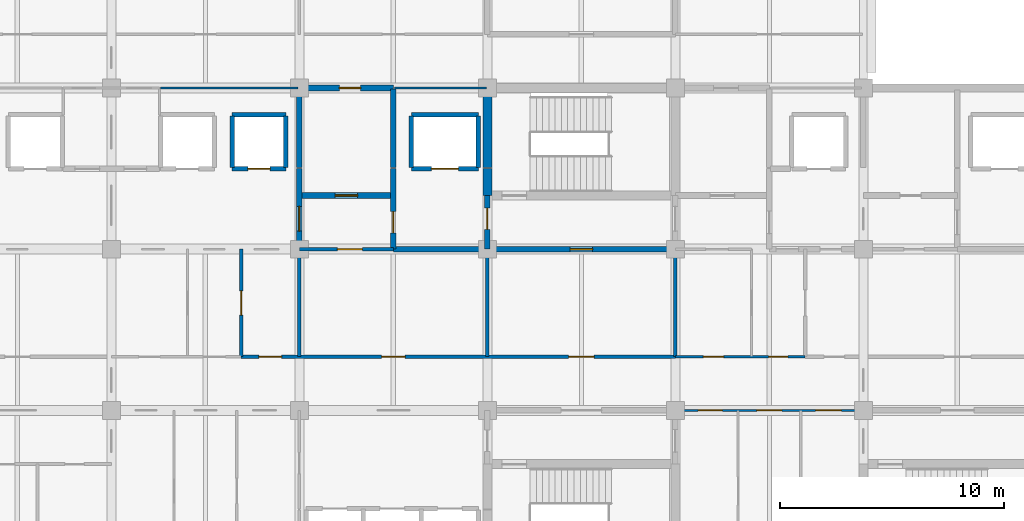
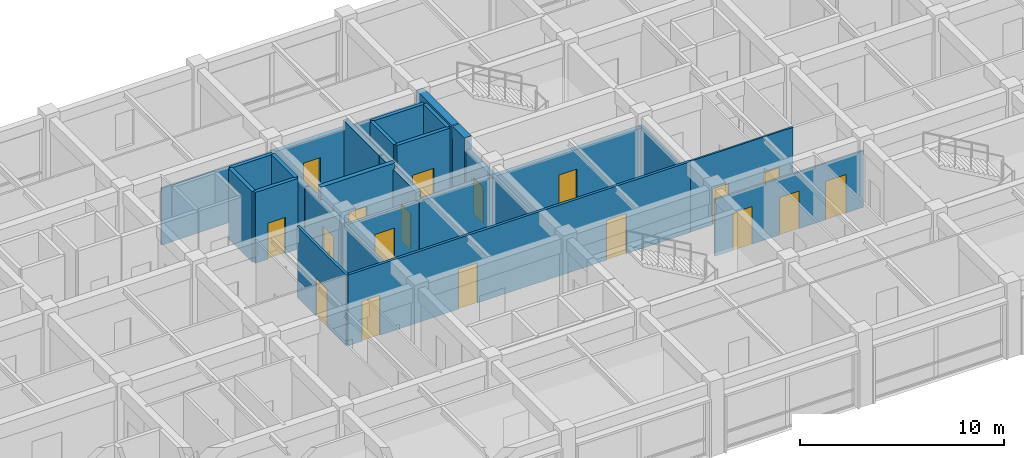
# One storey, part 22 of 30: 28 walls, 18 doors, 18 openings.
"""IFC4 building model written with IfcOpenShell, lengths in metres."""

from ifc_helpers import new_model, si_unit, direction, frame, frame_2d, origin, place, context, subcontext, project, spatial, rectangle, extrude, material, layer, layer_set, type_object, element, fill, save


model = new_model("IFC4")

# Units and contexts
model_context = context("Model", 3, precision=1e-05, world=origin(), true_north=direction((0.0, 1.0)))
body_context = subcontext(model_context, "Body", "Model", "MODEL_VIEW")
ifc_project = project(units=[si_unit("LENGTHUNIT", "METRE"), si_unit("AREAUNIT", "SQUARE_METRE"), si_unit("VOLUMEUNIT", "CUBIC_METRE"), si_unit("PLANEANGLEUNIT", "RADIAN"), si_unit("MASSUNIT", "GRAM", prefix="KILO")], contexts=[model_context])

# Site, building, storey
site_placement = place(None, origin())
site = spatial("IfcSite", under=ifc_project, at=site_placement, CompositionType="ELEMENT")
building_placement = place(site_placement, origin())
building = spatial("IfcBuilding", under=site, at=building_placement, Name="Chengyuan Square Courthouse", CompositionType="ELEMENT")
storey_placement = place(building_placement, frame((0.0, 0.0, 26.10009765625)))
storey = spatial("IfcBuildingStorey", under=building, at=storey_placement, Name="L06", CompositionType="ELEMENT", Elevation=26.10009765625)

# Wall, opening, door
ifc_material_1 = material(Name="Concrete C40", Category="concrete")
ifc_layer_1 = layer(ifc_material_1, 0.25)
ifc_layer_set_1 = layer_set([ifc_layer_1], Name="Concrete C40")
wall_type_1 = type_object("IfcWallType", Name="WL-FW1", PredefinedType="STANDARD", material=ifc_layer_set_1)
wall_1_placement = place(storey_placement, frame((96.60009765625, 100.800048828125, 0.0), z_axis=(0.0, 0.0, 1.0), x_axis=(1.0, 0.0, 0.0)))
wall_1 = element("IfcWall", 1, at=wall_1_placement, inside=storey, type_object=wall_type_1, Name="Interior Wall WL-L06-I2421", PredefinedType="STANDARD", context=body_context, shape_type="SweptSolid", body=[
    extrude(rectangle(XDim=12.599853515625, YDim=0.25, at=frame_2d((6.2998046875, 0.0))), origin(), (0.0, 0.0, 1.0), 3.389892578125),
])
opening_1_placement = place(wall_1_placement, frame((7.89990234375, 0.0, 0.0)))
opening_1 = element("IfcOpeningElement", 2, at=opening_1_placement, cuts=wall_1, Name="Opening DR-2122", PredefinedType="OPENING", context=body_context, shape_type="SweptSolid", body=[
    extrude(rectangle(XDim=1.0, YDim=2.199951171875, at=frame_2d((0.5, 1.10009765625))), frame((0.0, 0.136962890625, 0.0), z_axis=(0.0, -1.0, 0.0), x_axis=(1.0, 0.0, 0.0)), (0.0, 0.0, 1.0), 0.27392578125),
])
ifc_material_2 = material(Name="Steel Q235B Fire Door", Category="steel")
door_type_1 = type_object("IfcDoorType", Name="DT-11", OperationType="NOTDEFINED", PredefinedType="DOOR", material=ifc_material_2)
door_1_placement = place(opening_1_placement, origin())
door_1 = element("IfcDoor", 3, at=door_1_placement, inside=storey, type_object=door_type_1, Name="Interior Door DR-2122", OperationType="SINGLE_SWING_RIGHT", OverallHeight=2.199951171875, OverallWidth=1.0, PredefinedType="DOOR", context=body_context, shape_type="SweptSolid", body=[
    extrude(rectangle(XDim=1.0, YDim=2.199951171875, at=frame_2d((0.5, 1.10009765625))), frame((0.0, 0.02490234375, 0.0), z_axis=(0.0, -1.0, 0.0), x_axis=(1.0, 0.0, 0.0)), (0.0, 0.0, 1.0), 0.050048828125),
])
fill(opening_1, door_1)

wall_2_placement = place(storey_placement, frame((92.39990234375, 103.199951171875, 0.0), z_axis=(0.0, 0.0, 1.0), x_axis=(1.0, 0.0, 0.0)))
wall_2 = element("IfcWall", 4, at=wall_2_placement, inside=storey, type_object=wall_type_1, Name="Interior Wall WL-L06-I2434", PredefinedType="STANDARD", context=body_context, shape_type="SweptSolid", body=[
    extrude(rectangle(XDim=4.2001953125, YDim=0.25, at=frame_2d((2.10009765625, 0.0))), origin(), (0.0, 0.0, 1.0), 4.239990234375),
])
opening_2_placement = place(wall_2_placement, frame((1.60009765625, 0.0, 0.0)))
opening_2 = element("IfcOpeningElement", 5, at=opening_2_placement, cuts=wall_2, Name="Opening DR-2140", PredefinedType="OPENING", context=body_context, shape_type="SweptSolid", body=[
    extrude(rectangle(XDim=1.0, YDim=2.199951171875, at=frame_2d((0.5, 1.10009765625))), frame((0.0, 0.136962890625, 0.0), z_axis=(0.0, -1.0, 0.0), x_axis=(1.0, 0.0, 0.0)), (0.0, 0.0, 1.0), 0.27392578125),
])
door_2_placement = place(opening_2_placement, origin())
door_2 = element("IfcDoor", 6, at=door_2_placement, inside=storey, type_object=door_type_1, Name="Interior Door DR-2140", OperationType="SINGLE_SWING_RIGHT", OverallHeight=2.199951171875, OverallWidth=1.0, PredefinedType="DOOR", context=body_context, shape_type="SweptSolid", body=[
    extrude(rectangle(XDim=1.0, YDim=2.199951171875, at=frame_2d((0.5, 1.10009765625))), frame((0.0, 0.02490234375, 0.0), z_axis=(0.0, -1.0, 0.0), x_axis=(1.0, 0.0, 0.0)), (0.0, 0.0, 1.0), 0.050048828125),
])
fill(opening_2, door_2)

wall_3_placement = place(storey_placement, frame((92.39990234375, 108.0, 0.0), z_axis=(0.0, 0.0, 1.0), x_axis=(1.0, 0.0, 0.0)))
wall_3 = element("IfcWall", 7, at=wall_3_placement, inside=storey, type_object=wall_type_1, Name="Interior Wall WL-L06-I2470", PredefinedType="STANDARD", context=body_context, shape_type="SweptSolid", body=[
    extrude(rectangle(XDim=4.2001953125, YDim=0.25, at=frame_2d((2.10009765625, 0.0))), origin(), (0.0, 0.0, 1.0), 3.389892578125),
])
opening_3_placement = place(wall_3_placement, frame((1.784912109375, 0.0, 0.0)))
opening_3 = element("IfcOpeningElement", 8, at=opening_3_placement, cuts=wall_3, Name="Opening DR-2144", PredefinedType="OPENING", context=body_context, shape_type="SweptSolid", body=[
    extrude(rectangle(XDim=0.949951171875, YDim=2.14990234375, at=frame_2d((0.47509765625, 1.074951171875))), frame((0.0, 0.136962890625, 0.0), z_axis=(0.0, -1.0, 0.0), x_axis=(1.0, 0.0, 0.0)), (0.0, 0.0, 1.0), 0.27392578125),
])
door_type_2 = type_object("IfcDoorType", Name="DT-12", OperationType="NOTDEFINED", PredefinedType="DOOR", material=ifc_material_2)
door_3_placement = place(opening_3_placement, origin())
door_3 = element("IfcDoor", 9, at=door_3_placement, inside=storey, type_object=door_type_2, Name="Interior Door DR-2144", OperationType="SINGLE_SWING_RIGHT", OverallHeight=2.14990234375, OverallWidth=0.949951171875, PredefinedType="DOOR", context=body_context, shape_type="SweptSolid", body=[
    extrude(rectangle(XDim=0.949951171875, YDim=2.14990234375, at=frame_2d((0.47509765625, 1.074951171875))), frame((0.0, 0.02490234375, 0.0), z_axis=(0.0, -1.0, 0.0), x_axis=(1.0, 0.0, 0.0)), (0.0, 0.0, 1.0), 0.050048828125),
])
fill(opening_3, door_3)

wall_4_placement = place(storey_placement, frame((92.39990234375, 100.800048828125, 0.0), z_axis=(0.0, 0.0, 1.0), x_axis=(0.0, 1.0, 0.0)))
wall_4 = element("IfcWall", 10, at=wall_4_placement, inside=storey, type_object=wall_type_1, Name="Interior Wall WL-L06-I2560", PredefinedType="STANDARD", context=body_context, shape_type="SweptSolid", body=[
    extrude(rectangle(XDim=3.599853515625, YDim=0.25, at=frame_2d((1.7998046875, 0.0))), origin(), (0.0, 0.0, 1.0), 3.489990234375),
])
opening_4_placement = place(wall_4_placement, frame((0.81005859375, 0.0, 0.0)))
opening_4 = element("IfcOpeningElement", 11, at=opening_4_placement, cuts=wall_4, Name="Opening DR-2142", PredefinedType="OPENING", context=body_context, shape_type="SweptSolid", body=[
    extrude(rectangle(XDim=1.10009765625, YDim=2.199951171875, at=frame_2d((0.550048828125, 1.10009765625))), frame((0.0, 0.136962890625, 0.0), z_axis=(0.0, -1.0, 0.0), x_axis=(1.0, 0.0, 0.0)), (0.0, 0.0, 1.0), 0.27392578125),
])
door_type_3 = type_object("IfcDoorType", Name="DT-10", OperationType="NOTDEFINED", PredefinedType="DOOR", material=ifc_material_2)
door_4_placement = place(opening_4_placement, origin())
door_4 = element("IfcDoor", 12, at=door_4_placement, inside=storey, type_object=door_type_3, Name="Interior Door DR-2142", OperationType="SINGLE_SWING_RIGHT", OverallHeight=2.199951171875, OverallWidth=1.10009765625, PredefinedType="DOOR", context=body_context, shape_type="SweptSolid", body=[
    extrude(rectangle(XDim=1.10009765625, YDim=2.199951171875, at=frame_2d((0.550048828125, 1.10009765625))), frame((0.0, 0.02490234375, 0.0), z_axis=(0.0, -1.0, 0.0), x_axis=(1.0, 0.0, 0.0)), (0.0, 0.0, 1.0), 0.050048828125),
])
fill(opening_4, door_4)

# Wall
wall_5_placement = place(storey_placement, frame((92.39990234375, 104.449951171875, 0.0), z_axis=(0.0, 0.0, 1.0), x_axis=(0.0, 1.0, 0.0)))
element("IfcWall", 13, at=wall_5_placement, inside=storey, type_object=wall_type_1, Name="Interior Wall WL-L06-I2561", PredefinedType="STANDARD", context=body_context, shape_type="SweptSolid", body=[
    extrude(rectangle(XDim=3.5, YDim=0.25, at=frame_2d((1.75, 0.0))), origin(), (0.0, 0.0, 1.0), 3.489990234375),
])

# Wall, opening, door
wall_6_placement = place(storey_placement, frame((96.60009765625, 100.800048828125, 0.0), z_axis=(0.0, 0.0, 1.0), x_axis=(0.0, 1.0, 0.0)))
wall_6 = element("IfcWall", 14, at=wall_6_placement, inside=storey, type_object=wall_type_1, Name="Interior Wall WL-L06-I2565", PredefinedType="STANDARD", context=body_context, shape_type="SweptSolid", body=[
    extrude(rectangle(XDim=3.599853515625, YDim=0.25, at=frame_2d((1.7998046875, 0.0))), origin(), (0.0, 0.0, 1.0), 3.889892578125),
])
opening_5_placement = place(wall_6_placement, frame((0.72509765625, 0.0, 0.0)))
opening_5 = element("IfcOpeningElement", 15, at=opening_5_placement, cuts=wall_6, Name="Opening DR-2141", PredefinedType="OPENING", context=body_context, shape_type="SweptSolid", body=[
    extrude(rectangle(XDim=0.949951171875, YDim=2.14990234375, at=frame_2d((0.47509765625, 1.074951171875))), frame((0.0, 0.136962890625, 0.0), z_axis=(0.0, -1.0, 0.0), x_axis=(1.0, 0.0, 0.0)), (0.0, 0.0, 1.0), 0.27392578125),
])
door_5_placement = place(opening_5_placement, origin())
door_5 = element("IfcDoor", 16, at=door_5_placement, inside=storey, type_object=door_type_2, Name="Interior Door DR-2141", OperationType="SINGLE_SWING_LEFT", OverallHeight=2.14990234375, OverallWidth=0.949951171875, PredefinedType="DOOR", context=body_context, shape_type="SweptSolid", body=[
    extrude(rectangle(XDim=0.949951171875, YDim=2.14990234375, at=frame_2d((0.47509765625, 1.074951171875))), frame((0.0, 0.02490234375, 0.0), z_axis=(0.0, -1.0, 0.0), x_axis=(1.0, 0.0, 0.0)), (0.0, 0.0, 1.0), 0.050048828125),
])
fill(opening_5, door_5)

# Wall
wall_7_placement = place(storey_placement, frame((96.60009765625, 104.449951171875, 0.0), z_axis=(0.0, 0.0, 1.0), x_axis=(0.0, 1.0, 0.0)))
element("IfcWall", 17, at=wall_7_placement, inside=storey, type_object=wall_type_1, Name="Interior Wall WL-L06-I2566", PredefinedType="STANDARD", context=body_context, shape_type="SweptSolid", body=[
    extrude(rectangle(XDim=3.5, YDim=0.25, at=frame_2d((1.75, 0.0))), origin(), (0.0, 0.0, 1.0), 3.889892578125),
])

# Wall, opening, door
wall_8_placement = place(storey_placement, frame((100.800048828125, 100.800048828125, 0.0), z_axis=(0.0, 0.0, 1.0), x_axis=(0.0, 1.0, 0.0)))
wall_8 = element("IfcWall", 18, at=wall_8_placement, inside=storey, type_object=wall_type_1, Name="Interior Wall WL-L06-I2576", PredefinedType="STANDARD", context=body_context, shape_type="SweptSolid", body=[
    extrude(rectangle(XDim=2.39990234375, YDim=0.25, at=frame_2d((1.199951171875, 0.0))), origin(), (0.0, 0.0, 1.0), 3.489990234375),
])
opening_6_placement = place(wall_8_placement, frame((0.885009765625, 0.0, 0.0)))
opening_6 = element("IfcOpeningElement", 19, at=opening_6_placement, cuts=wall_8, Name="Opening DR-2120", PredefinedType="OPENING", context=body_context, shape_type="SweptSolid", body=[
    extrude(rectangle(XDim=0.949951171875, YDim=2.14990234375, at=frame_2d((0.47509765625, 1.074951171875))), frame((0.0, 0.136962890625, 0.0), z_axis=(0.0, -1.0, 0.0), x_axis=(1.0, 0.0, 0.0)), (0.0, 0.0, 1.0), 0.27392578125),
])
door_6_placement = place(opening_6_placement, origin())
door_6 = element("IfcDoor", 20, at=door_6_placement, inside=storey, type_object=door_type_2, Name="Interior Door DR-2120", OperationType="SINGLE_SWING_RIGHT", OverallHeight=2.14990234375, OverallWidth=0.949951171875, PredefinedType="DOOR", context=body_context, shape_type="SweptSolid", body=[
    extrude(rectangle(XDim=0.949951171875, YDim=2.14990234375, at=frame_2d((0.47509765625, 1.074951171875))), frame((0.0, 0.02490234375, 0.0), z_axis=(0.0, -1.0, 0.0), x_axis=(1.0, 0.0, 0.0)), (0.0, 0.0, 1.0), 0.050048828125),
])
fill(opening_6, door_6)

# Wall, openings, doors
ifc_material_3 = material(Name="Deliberation Room Sound-Insulated Partition")
ifc_layer_2 = layer(ifc_material_3, 0.14990234375)
ifc_layer_set_2 = layer_set([ifc_layer_2], Name="Deliberation Room Sound-Insulated Partition")
wall_type_2 = type_object("IfcWallType", Name="WL-PT3", PredefinedType="STANDARD", material=ifc_layer_set_2)
wall_9_placement = place(storey_placement, frame((89.800048828125, 96.0, 0.0), z_axis=(0.0, 0.0, 1.0), x_axis=(1.0, 0.0, 0.0)))
wall_9 = element("IfcWall", 21, at=wall_9_placement, inside=storey, type_object=wall_type_2, Name="Interior Wall WL-L06-I2405", PredefinedType="STANDARD", context=body_context, shape_type="SweptSolid", body=[
    extrude(rectangle(XDim=19.39990234375, YDim=0.14990234375, at=frame_2d((9.699951171875, 0.0))), origin(), (0.0, 0.0, 1.0), 4.239990234375),
])
opening_7_placement = place(wall_9_placement, frame((0.7900390625, 0.0, 0.0)))
opening_7 = element("IfcOpeningElement", 22, at=opening_7_placement, cuts=wall_9, Name="Opening DR-2218", PredefinedType="OPENING", context=body_context, shape_type="SweptSolid", body=[
    extrude(rectangle(XDim=1.02001953125, YDim=2.39990234375, at=frame_2d((0.510009765625, 1.199951171875))), frame((0.0, 0.0869140625, 0.0), z_axis=(0.0, -1.0, 0.0), x_axis=(1.0, 0.0, 0.0)), (0.0, 0.0, 1.0), 0.173828125),
])
opening_8_placement = place(wall_9_placement, frame((6.27001953125, 0.0, 0.0)))
opening_8 = element("IfcOpeningElement", 23, at=opening_8_placement, cuts=wall_9, Name="Opening DR-2219", PredefinedType="OPENING", context=body_context, shape_type="SweptSolid", body=[
    extrude(rectangle(XDim=1.06005859375, YDim=2.39990234375, at=frame_2d((0.530029296875, 1.199951171875))), frame((0.0, 0.0869140625, 0.0), z_axis=(0.0, -1.0, 0.0), x_axis=(1.0, 0.0, 0.0)), (0.0, 0.0, 1.0), 0.173828125),
])
opening_9_placement = place(wall_9_placement, frame((14.6298828125, 0.0, 0.0)))
opening_9 = element("IfcOpeningElement", 24, at=opening_9_placement, cuts=wall_9, Name="Opening DR-2220", PredefinedType="OPENING", context=body_context, shape_type="SweptSolid", body=[
    extrude(rectangle(XDim=1.139892578125, YDim=2.39990234375, at=frame_2d((0.56982421875, 1.199951171875))), frame((0.0, 0.0869140625, 0.0), z_axis=(0.0, -1.0, 0.0), x_axis=(1.0, 0.0, 0.0)), (0.0, 0.0, 1.0), 0.173828125),
])
ifc_material_4 = material(Name="Acoustic Solid-Core Timber Door", Category="wood")
door_type_4 = type_object("IfcDoorType", Name="DT-41", OperationType="NOTDEFINED", PredefinedType="DOOR", material=ifc_material_4)
door_7_placement = place(opening_7_placement, origin())
door_7 = element("IfcDoor", 25, at=door_7_placement, inside=storey, type_object=door_type_4, Name="Interior Door DR-2218", OperationType="SINGLE_SWING_LEFT", OverallHeight=2.39990234375, OverallWidth=1.02001953125, PredefinedType="DOOR", context=body_context, shape_type="SweptSolid", body=[
    extrude(rectangle(XDim=1.02001953125, YDim=2.39990234375, at=frame_2d((0.510009765625, 1.199951171875))), frame((0.0, 0.02490234375, 0.0), z_axis=(0.0, -1.0, 0.0), x_axis=(1.0, 0.0, 0.0)), (0.0, 0.0, 1.0), 0.050048828125),
])
fill(opening_7, door_7)
door_type_5 = type_object("IfcDoorType", Name="DT-42", OperationType="NOTDEFINED", PredefinedType="DOOR", material=ifc_material_4)
door_8_placement = place(opening_8_placement, origin())
door_8 = element("IfcDoor", 26, at=door_8_placement, inside=storey, type_object=door_type_5, Name="Interior Door DR-2219", OperationType="SINGLE_SWING_RIGHT", OverallHeight=2.39990234375, OverallWidth=1.06005859375, PredefinedType="DOOR", context=body_context, shape_type="SweptSolid", body=[
    extrude(rectangle(XDim=1.06005859375, YDim=2.39990234375, at=frame_2d((0.530029296875, 1.199951171875))), frame((0.0, 0.02490234375, 0.0), z_axis=(0.0, -1.0, 0.0), x_axis=(1.0, 0.0, 0.0)), (0.0, 0.0, 1.0), 0.050048828125),
])
fill(opening_8, door_8)
door_type_6 = type_object("IfcDoorType", Name="DT-43", OperationType="NOTDEFINED", PredefinedType="DOOR", material=ifc_material_4)
door_9_placement = place(opening_9_placement, origin())
door_9 = element("IfcDoor", 27, at=door_9_placement, inside=storey, type_object=door_type_6, Name="Interior Door DR-2220", OperationType="SINGLE_SWING_LEFT", OverallHeight=2.39990234375, OverallWidth=1.139892578125, PredefinedType="DOOR", context=body_context, shape_type="SweptSolid", body=[
    extrude(rectangle(XDim=1.139892578125, YDim=2.39990234375, at=frame_2d((0.56982421875, 1.199951171875))), frame((0.0, 0.02490234375, 0.0), z_axis=(0.0, -1.0, 0.0), x_axis=(1.0, 0.0, 0.0)), (0.0, 0.0, 1.0), 0.050048828125),
])
fill(opening_9, door_9)

# Wall, opening, door
wall_10_placement = place(storey_placement, frame((92.39990234375, 100.800048828125, 0.0), z_axis=(0.0, 0.0, 1.0), x_axis=(1.0, 0.0, 0.0)))
wall_10 = element("IfcWall", 28, at=wall_10_placement, inside=storey, type_object=wall_type_2, Name="Interior Wall WL-L06-I2420", PredefinedType="STANDARD", context=body_context, shape_type="SweptSolid", body=[
    extrude(rectangle(XDim=4.2001953125, YDim=0.14990234375, at=frame_2d((2.10009765625, 0.0))), origin(), (0.0, 0.0, 1.0), 3.389892578125),
])
opening_10_placement = place(wall_10_placement, frame((1.699951171875, 0.0, 0.0)))
opening_10 = element("IfcOpeningElement", 29, at=opening_10_placement, cuts=wall_10, Name="Opening DR-2143", PredefinedType="OPENING", context=body_context, shape_type="SweptSolid", body=[
    extrude(rectangle(XDim=1.1201171875, YDim=2.25, at=frame_2d((0.56005859375, 1.125))), frame((0.0, 0.0869140625, 0.0), z_axis=(0.0, -1.0, 0.0), x_axis=(1.0, 0.0, 0.0)), (0.0, 0.0, 1.0), 0.173828125),
])
door_type_7 = type_object("IfcDoorType", Name="DT-34", OperationType="NOTDEFINED", PredefinedType="DOOR", material=ifc_material_4)
door_10_placement = place(opening_10_placement, origin())
door_10 = element("IfcDoor", 30, at=door_10_placement, inside=storey, type_object=door_type_7, Name="Interior Door DR-2143", OperationType="SINGLE_SWING_LEFT", OverallHeight=2.25, OverallWidth=1.1201171875, PredefinedType="DOOR", context=body_context, shape_type="SweptSolid", body=[
    extrude(rectangle(XDim=1.1201171875, YDim=2.25, at=frame_2d((0.56005859375, 1.125))), frame((0.0, 0.02490234375, 0.0), z_axis=(0.0, -1.0, 0.0), x_axis=(1.0, 0.0, 0.0)), (0.0, 0.0, 1.0), 0.050048828125),
])
fill(opening_10, door_10)

wall_11_placement = place(storey_placement, frame((89.800048828125, 96.0, 0.0), z_axis=(0.0, 0.0, 1.0), x_axis=(0.0, 1.0, 0.0)))
wall_11 = element("IfcWall", 31, at=wall_11_placement, inside=storey, type_object=wall_type_2, Name="Interior Wall WL-L06-I2555", PredefinedType="STANDARD", context=body_context, shape_type="SweptSolid", body=[
    extrude(rectangle(XDim=4.800048828125, YDim=0.14990234375, at=frame_2d((2.39990234375, 0.0))), origin(), (0.0, 0.0, 1.0), 4.239990234375),
])
opening_11_placement = place(wall_11_placement, frame((1.860107421875, 0.0, 0.0)))
opening_11 = element("IfcOpeningElement", 32, at=opening_11_placement, cuts=wall_11, Name="Opening DR-2244", PredefinedType="OPENING", context=body_context, shape_type="SweptSolid", body=[
    extrude(rectangle(XDim=1.080078125, YDim=2.25, at=frame_2d((0.5400390625, 1.125))), frame((0.0, 0.0869140625, 0.0), z_axis=(0.0, -1.0, 0.0), x_axis=(1.0, 0.0, 0.0)), (0.0, 0.0, 1.0), 0.173828125),
])
door_type_8 = type_object("IfcDoorType", Name="DT-33", OperationType="NOTDEFINED", PredefinedType="DOOR", material=ifc_material_4)
door_11_placement = place(opening_11_placement, origin())
door_11 = element("IfcDoor", 33, at=door_11_placement, inside=storey, type_object=door_type_8, Name="Interior Door DR-2244", OperationType="SINGLE_SWING_RIGHT", OverallHeight=2.25, OverallWidth=1.080078125, PredefinedType="DOOR", context=body_context, shape_type="SweptSolid", body=[
    extrude(rectangle(XDim=1.080078125, YDim=2.25, at=frame_2d((0.5400390625, 1.125))), frame((0.0, 0.02490234375, 0.0), z_axis=(0.0, -1.0, 0.0), x_axis=(1.0, 0.0, 0.0)), (0.0, 0.0, 1.0), 0.050048828125),
])
fill(opening_11, door_11)

# Walls
for number, where, z_axis, x_axis, name in (
    (34, (92.39990234375, 96.0, 0.0), (0.0, 0.0, 1.0), (0.0, 1.0, 0.0), "Interior Wall WL-L06-I2559"),
    (35, (100.800048828125, 96.0, 0.0), (0.0, 0.0, 1.0), (0.0, 1.0, 0.0), "Interior Wall WL-L06-I2575"),
    (36, (109.199951171875, 96.0, 0.0), (0.0, 0.0, 1.0), (0.0, 1.0, 0.0), "Interior Wall WL-L06-I2583"),
):
    element("IfcWall", number, at=place(storey_placement, frame(where, z_axis=z_axis, x_axis=x_axis)), inside=storey, type_object=wall_type_2, Name=name, PredefinedType="STANDARD", context=body_context, shape_type="SweptSolid", body=[
        extrude(rectangle(XDim=4.800048828125, YDim=0.14990234375, at=frame_2d((2.39990234375, 0.0))), origin(), (0.0, 0.0, 1.0), 3.489990234375),
    ])

# Wall, openings, doors
ifc_material_5 = material(Name="Gypsum Plasterboard Acoustic Stud Partition")
ifc_layer_3 = layer(ifc_material_5, 0.10009765625)
ifc_layer_set_3 = layer_set([ifc_layer_3], Name="Gypsum Plasterboard Acoustic Stud Partition")
wall_type_3 = type_object("IfcWallType", Name="WL-PT6", PredefinedType="STANDARD", material=ifc_layer_set_3)
wall_12_placement = place(storey_placement, frame((109.199951171875, 93.60009765625, 0.0), z_axis=(0.0, 0.0, 1.0), x_axis=(1.0, 0.0, 0.0)))
wall_12 = element("IfcWall", 37, at=wall_12_placement, inside=storey, type_object=wall_type_3, Name="Interior Wall WL-L06-I2397", PredefinedType="STANDARD", context=body_context, shape_type="SweptSolid", body=[
    extrude(rectangle(XDim=8.400146484375, YDim=0.10009765625, at=frame_2d((4.2001953125, 0.0))), origin(), (0.0, 0.0, 1.0), 3.389892578125),
])
opening_12_placement = place(wall_12_placement, frame((1.02001953125, 0.0, 0.0)))
opening_12 = element("IfcOpeningElement", 38, at=opening_12_placement, cuts=wall_12, Name="Opening DR-2227", PredefinedType="OPENING", context=body_context, shape_type="SweptSolid", body=[
    extrude(rectangle(XDim=1.080078125, YDim=2.25, at=frame_2d((0.5400390625, 1.125))), frame((0.0, 0.06201171875, 0.0), z_axis=(0.0, -1.0, 0.0), x_axis=(1.0, 0.0, 0.0)), (0.0, 0.0, 1.0), 0.1240234375),
])
opening_13_placement = place(wall_12_placement, frame((3.639892578125, 0.0, 0.0)))
opening_13 = element("IfcOpeningElement", 39, at=opening_13_placement, cuts=wall_12, Name="Opening DR-2228", PredefinedType="OPENING", context=body_context, shape_type="SweptSolid", body=[
    extrude(rectangle(XDim=1.1201171875, YDim=2.25, at=frame_2d((0.56005859375, 1.125))), frame((0.0, 0.06201171875, 0.0), z_axis=(0.0, -1.0, 0.0), x_axis=(1.0, 0.0, 0.0)), (0.0, 0.0, 1.0), 0.1240234375),
])
opening_14_placement = place(wall_12_placement, frame((6.260009765625, 0.0, 0.0)))
opening_14 = element("IfcOpeningElement", 40, at=opening_14_placement, cuts=wall_12, Name="Opening DR-2229", PredefinedType="OPENING", context=body_context, shape_type="SweptSolid", body=[
    extrude(rectangle(XDim=1.159912109375, YDim=2.300048828125, at=frame_2d((0.580078125, 1.14990234375))), frame((0.0, 0.06201171875, 0.0), z_axis=(0.0, -1.0, 0.0), x_axis=(1.0, 0.0, 0.0)), (0.0, 0.0, 1.0), 0.1240234375),
])
door_12_placement = place(opening_12_placement, origin())
door_12 = element("IfcDoor", 41, at=door_12_placement, inside=storey, type_object=door_type_8, Name="Interior Door DR-2227", OperationType="SINGLE_SWING_RIGHT", OverallHeight=2.25, OverallWidth=1.080078125, PredefinedType="DOOR", context=body_context, shape_type="SweptSolid", body=[
    extrude(rectangle(XDim=1.080078125, YDim=2.25, at=frame_2d((0.5400390625, 1.125))), frame((0.0, 0.02490234375, 0.0), z_axis=(0.0, -1.0, 0.0), x_axis=(1.0, 0.0, 0.0)), (0.0, 0.0, 1.0), 0.050048828125),
])
fill(opening_12, door_12)
door_13_placement = place(opening_13_placement, origin())
door_13 = element("IfcDoor", 42, at=door_13_placement, inside=storey, type_object=door_type_7, Name="Interior Door DR-2228", OperationType="SINGLE_SWING_LEFT", OverallHeight=2.25, OverallWidth=1.1201171875, PredefinedType="DOOR", context=body_context, shape_type="SweptSolid", body=[
    extrude(rectangle(XDim=1.1201171875, YDim=2.25, at=frame_2d((0.56005859375, 1.125))), frame((0.0, 0.02490234375, 0.0), z_axis=(0.0, -1.0, 0.0), x_axis=(1.0, 0.0, 0.0)), (0.0, 0.0, 1.0), 0.050048828125),
])
fill(opening_13, door_13)
door_type_9 = type_object("IfcDoorType", Name="DT-35", OperationType="NOTDEFINED", PredefinedType="DOOR", material=ifc_material_4)
door_14_placement = place(opening_14_placement, origin())
door_14 = element("IfcDoor", 43, at=door_14_placement, inside=storey, type_object=door_type_9, Name="Interior Door DR-2229", OperationType="SINGLE_SWING_RIGHT", OverallHeight=2.300048828125, OverallWidth=1.159912109375, PredefinedType="DOOR", context=body_context, shape_type="SweptSolid", body=[
    extrude(rectangle(XDim=1.159912109375, YDim=2.300048828125, at=frame_2d((0.580078125, 1.14990234375))), frame((0.0, 0.02490234375, 0.0), z_axis=(0.0, -1.0, 0.0), x_axis=(1.0, 0.0, 0.0)), (0.0, 0.0, 1.0), 0.050048828125),
])
fill(opening_14, door_14)

wall_13_placement = place(storey_placement, frame((109.199951171875, 96.0, 0.0), z_axis=(0.0, 0.0, 1.0), x_axis=(1.0, 0.0, 0.0)))
wall_13 = element("IfcWall", 44, at=wall_13_placement, inside=storey, type_object=wall_type_3, Name="Interior Wall WL-L06-I2406", PredefinedType="STANDARD", context=body_context, shape_type="SweptSolid", body=[
    extrude(rectangle(XDim=5.800048828125, YDim=0.10009765625, at=frame_2d((2.89990234375, 0.0))), origin(), (0.0, 0.0, 1.0), 4.239990234375),
])
opening_15_placement = place(wall_13_placement, frame((1.25, 0.0, 0.0)))
opening_15 = element("IfcOpeningElement", 45, at=opening_15_placement, cuts=wall_13, Name="Opening DR-2221", PredefinedType="OPENING", context=body_context, shape_type="SweptSolid", body=[
    extrude(rectangle(XDim=0.89990234375, YDim=2.14990234375, at=frame_2d((0.449951171875, 1.074951171875))), frame((0.0, 0.06201171875, 0.0), z_axis=(0.0, -1.0, 0.0), x_axis=(1.0, 0.0, 0.0)), (0.0, 0.0, 1.0), 0.1240234375),
])
opening_16_placement = place(wall_13_placement, frame((4.169921875, 0.0, 0.0)))
opening_16 = element("IfcOpeningElement", 46, at=opening_16_placement, cuts=wall_13, Name="Opening DR-2222", PredefinedType="OPENING", context=body_context, shape_type="SweptSolid", body=[
    extrude(rectangle(XDim=0.860107421875, YDim=2.10009765625, at=frame_2d((0.43017578125, 1.050048828125))), frame((0.0, 0.06201171875, 0.0), z_axis=(0.0, -1.0, 0.0), x_axis=(1.0, 0.0, 0.0)), (0.0, 0.0, 1.0), 0.1240234375),
])
door_type_10 = type_object("IfcDoorType", Name="DT-27", OperationType="NOTDEFINED", PredefinedType="DOOR", material=ifc_material_4)
door_15_placement = place(opening_15_placement, origin())
door_15 = element("IfcDoor", 47, at=door_15_placement, inside=storey, type_object=door_type_10, Name="Interior Door DR-2221", OperationType="SINGLE_SWING_RIGHT", OverallHeight=2.14990234375, OverallWidth=0.89990234375, PredefinedType="DOOR", context=body_context, shape_type="SweptSolid", body=[
    extrude(rectangle(XDim=0.89990234375, YDim=2.14990234375, at=frame_2d((0.449951171875, 1.074951171875))), frame((0.0, 0.02490234375, 0.0), z_axis=(0.0, -1.0, 0.0), x_axis=(1.0, 0.0, 0.0)), (0.0, 0.0, 1.0), 0.050048828125),
])
fill(opening_15, door_15)
door_type_11 = type_object("IfcDoorType", Name="DT-28", OperationType="NOTDEFINED", PredefinedType="DOOR", material=ifc_material_4)
door_16_placement = place(opening_16_placement, origin())
door_16 = element("IfcDoor", 48, at=door_16_placement, inside=storey, type_object=door_type_11, Name="Interior Door DR-2222", OperationType="SINGLE_SWING_LEFT", OverallHeight=2.10009765625, OverallWidth=0.860107421875, PredefinedType="DOOR", context=body_context, shape_type="SweptSolid", body=[
    extrude(rectangle(XDim=0.860107421875, YDim=2.10009765625, at=frame_2d((0.43017578125, 1.050048828125))), frame((0.0, 0.02490234375, 0.0), z_axis=(0.0, -1.0, 0.0), x_axis=(1.0, 0.0, 0.0)), (0.0, 0.0, 1.0), 0.050048828125),
])
fill(opening_16, door_16)

# Walls
wall_14_placement = place(storey_placement, frame((86.199951171875, 108.0, 0.0), z_axis=(0.0, 0.0, 1.0), x_axis=(1.0, 0.0, 0.0)))
element("IfcWall", 49, at=wall_14_placement, inside=storey, type_object=wall_type_3, Name="Interior Wall WL-L06-I2469", PredefinedType="STANDARD", context=body_context, shape_type="SweptSolid", body=[
    extrude(rectangle(XDim=6.150146484375, YDim=0.10009765625, at=frame_2d((3.0751953125, 0.0))), origin(), (0.0, 0.0, 1.0), 3.389892578125),
])
wall_15_placement = place(storey_placement, frame((96.64990234375, 108.0, 0.0), z_axis=(0.0, 0.0, 1.0), x_axis=(1.0, 0.0, 0.0)))
element("IfcWall", 50, at=wall_15_placement, inside=storey, type_object=wall_type_3, Name="Interior Wall WL-L06-I2471", PredefinedType="STANDARD", context=body_context, shape_type="SweptSolid", body=[
    extrude(rectangle(XDim=4.10009765625, YDim=0.10009765625, at=frame_2d((2.050048828125, 0.0))), origin(), (0.0, 0.0, 1.0), 3.389892578125),
])

# Wall, opening, door
ifc_material_6 = material(Name="Reinforced Masonry Shaft Enclosure", Category="masonry")
ifc_layer_4 = layer(ifc_material_6, 0.199951171875)
ifc_layer_set_4 = layer_set([ifc_layer_4], Name="Reinforced Masonry Shaft Enclosure")
wall_type_4 = type_object("IfcWallType", Name="WL-SH1", PredefinedType="STANDARD", material=ifc_layer_set_4)
wall_16_placement = place(storey_placement, frame((89.39990234375, 104.39990234375, 0.0), z_axis=(0.0, 0.0, 1.0), x_axis=(1.0, 0.0, 0.0)))
wall_16 = element("IfcWall", 51, at=wall_16_placement, inside=storey, type_object=wall_type_4, Name="Interior Wall WL-L06-I2447", PredefinedType="STANDARD", context=body_context, shape_type="SweptSolid", body=[
    extrude(rectangle(XDim=2.400146484375, YDim=0.199951171875, at=frame_2d((1.2001953125, 0.0))), origin(), (0.0, 0.0, 1.0), 4.239990234375),
])
opening_17_placement = place(wall_16_placement, frame((0.699951171875, 0.0, 0.0)))
opening_17 = element("IfcOpeningElement", 52, at=opening_17_placement, cuts=wall_16, Name="Opening LD-108", PredefinedType="OPENING", context=body_context, shape_type="SweptSolid", body=[
    extrude(rectangle(XDim=1.0, YDim=2.14990234375, at=frame_2d((0.5, 1.074951171875))), frame((0.0, 0.112060546875, 0.0), z_axis=(0.0, -1.0, 0.0), x_axis=(1.0, 0.0, 0.0)), (0.0, 0.0, 1.0), 0.223876953125),
])
ifc_material_7 = material(Name="Stainless Steel S30408 Lift Landing Door", Category="steel")
door_type_12 = type_object("IfcDoorType", Name="DT-07", OperationType="DOUBLE_DOOR_SLIDING", PredefinedType="DOOR", material=ifc_material_7)
door_17_placement = place(opening_17_placement, origin())
door_17 = element("IfcDoor", 53, at=door_17_placement, inside=storey, type_object=door_type_12, Name="Lift Landing Door LF-J4 L06", OperationType="DOUBLE_DOOR_SLIDING", OverallHeight=2.14990234375, OverallWidth=1.0, PredefinedType="DOOR", context=body_context, shape_type="SweptSolid", body=[
    extrude(rectangle(XDim=1.0, YDim=2.14990234375, at=frame_2d((0.5, 1.074951171875))), frame((0.0, 0.02490234375, 0.0), z_axis=(0.0, -1.0, 0.0), x_axis=(1.0, 0.0, 0.0)), (0.0, 0.0, 1.0), 0.050048828125),
])
fill(opening_17, door_17)

wall_17_placement = place(storey_placement, frame((97.39990234375, 104.39990234375, 0.0), z_axis=(0.0, 0.0, 1.0), x_axis=(1.0, 0.0, 0.0)))
wall_17 = element("IfcWall", 54, at=wall_17_placement, inside=storey, type_object=wall_type_4, Name="Interior Wall WL-L06-I2448", PredefinedType="STANDARD", context=body_context, shape_type="SweptSolid", body=[
    extrude(rectangle(XDim=3.0, YDim=0.199951171875, at=frame_2d((1.5, 0.0))), origin(), (0.0, 0.0, 1.0), 4.239990234375),
])
opening_18_placement = place(wall_17_placement, frame((0.89990234375, 0.0, 0.0)))
opening_18 = element("IfcOpeningElement", 55, at=opening_18_placement, cuts=wall_17, Name="Opening LD-102", PredefinedType="OPENING", context=body_context, shape_type="SweptSolid", body=[
    extrude(rectangle(XDim=1.199951171875, YDim=2.14990234375, at=frame_2d((0.60009765625, 1.074951171875))), frame((0.0, 0.112060546875, 0.0), z_axis=(0.0, -1.0, 0.0), x_axis=(1.0, 0.0, 0.0)), (0.0, 0.0, 1.0), 0.223876953125),
])
door_type_13 = type_object("IfcDoorType", Name="DT-05", OperationType="DOUBLE_DOOR_SLIDING", PredefinedType="DOOR", material=ifc_material_7)
door_18_placement = place(opening_18_placement, origin())
door_18 = element("IfcDoor", 56, at=door_18_placement, inside=storey, type_object=door_type_13, Name="Lift Landing Door LF-F2 L06", OperationType="DOUBLE_DOOR_SLIDING", OverallHeight=2.14990234375, OverallWidth=1.199951171875, PredefinedType="DOOR", context=body_context, shape_type="SweptSolid", body=[
    extrude(rectangle(XDim=1.199951171875, YDim=2.14990234375, at=frame_2d((0.60009765625, 1.074951171875))), frame((0.0, 0.02490234375, 0.0), z_axis=(0.0, -1.0, 0.0), x_axis=(1.0, 0.0, 0.0)), (0.0, 0.0, 1.0), 0.050048828125),
])
fill(opening_18, door_18)

# Walls
wall_18_placement = place(storey_placement, frame((89.39990234375, 106.800048828125, 0.0), z_axis=(0.0, 0.0, 1.0), x_axis=(1.0, 0.0, 0.0)))
element("IfcWall", 57, at=wall_18_placement, inside=storey, type_object=wall_type_4, Name="Interior Wall WL-L06-I2458", PredefinedType="STANDARD", context=body_context, shape_type="SweptSolid", body=[
    extrude(rectangle(XDim=2.400146484375, YDim=0.199951171875, at=frame_2d((1.2001953125, 0.0))), origin(), (0.0, 0.0, 1.0), 4.239990234375),
])
wall_19_placement = place(storey_placement, frame((97.39990234375, 106.800048828125, 0.0), z_axis=(0.0, 0.0, 1.0), x_axis=(1.0, 0.0, 0.0)))
element("IfcWall", 58, at=wall_19_placement, inside=storey, type_object=wall_type_4, Name="Interior Wall WL-L06-I2459", PredefinedType="STANDARD", context=body_context, shape_type="SweptSolid", body=[
    extrude(rectangle(XDim=3.0, YDim=0.199951171875, at=frame_2d((1.5, 0.0))), origin(), (0.0, 0.0, 1.0), 4.239990234375),
])
for number, where, z_axis, x_axis, name in (
    (59, (89.39990234375, 104.449951171875, 0.0), (0.0, 0.0, 1.0), (0.0, 1.0, 0.0), "Interior Wall WL-L06-I2553"),
    (60, (91.800048828125, 104.449951171875, 0.0), (0.0, 0.0, 1.0), (0.0, 1.0, 0.0), "Interior Wall WL-L06-I2556"),
    (61, (97.39990234375, 104.449951171875, 0.0), (0.0, 0.0, 1.0), (0.0, 1.0, 0.0), "Interior Wall WL-L06-I2567"),
    (62, (100.39990234375, 104.449951171875, 0.0), (0.0, 0.0, 1.0), (0.0, 1.0, 0.0), "Interior Wall WL-L06-I2570"),
):
    element("IfcWall", number, at=place(storey_placement, frame(where, z_axis=z_axis, x_axis=x_axis)), inside=storey, type_object=wall_type_4, Name=name, PredefinedType="STANDARD", context=body_context, shape_type="SweptSolid", body=[
        extrude(rectangle(XDim=2.300048828125, YDim=0.199951171875, at=frame_2d((1.14990234375, 0.0))), origin(), (0.0, 0.0, 1.0), 4.239990234375),
    ])
ifc_material_8 = material(Name="Concrete C50", Category="concrete")
ifc_layer_5 = layer(ifc_material_8, 0.39990234375)
ifc_layer_set_5 = layer_set([ifc_layer_5], Name="Concrete C50")
wall_type_5 = type_object("IfcWallType", Name="WL-SW1", PredefinedType="SHEAR", material=ifc_layer_set_5)
wall_20_placement = place(storey_placement, frame((100.800048828125, 103.199951171875, 0.0), z_axis=(0.0, 0.0, 1.0), x_axis=(0.0, 1.0, 0.0)))
element("IfcWall", 63, at=wall_20_placement, inside=storey, type_object=wall_type_5, Name="Interior Wall WL-L06-I2577", PredefinedType="SHEAR", context=body_context, shape_type="SweptSolid", body=[
    extrude(rectangle(XDim=1.199951171875, YDim=0.39990234375, at=frame_2d((0.60009765625, 0.0))), origin(), (0.0, 0.0, 1.0), 4.239990234375),
])
wall_21_placement = place(storey_placement, frame((100.800048828125, 104.449951171875, 0.0), z_axis=(0.0, 0.0, 1.0), x_axis=(0.0, 1.0, 0.0)))
element("IfcWall", 64, at=wall_21_placement, inside=storey, type_object=wall_type_5, Name="Interior Wall WL-L06-I2578", PredefinedType="SHEAR", context=body_context, shape_type="SweptSolid", body=[
    extrude(rectangle(XDim=3.5, YDim=0.39990234375, at=frame_2d((1.75, 0.0))), origin(), (0.0, 0.0, 1.0), 4.239990234375),
])

save(model, "model.ifc")
